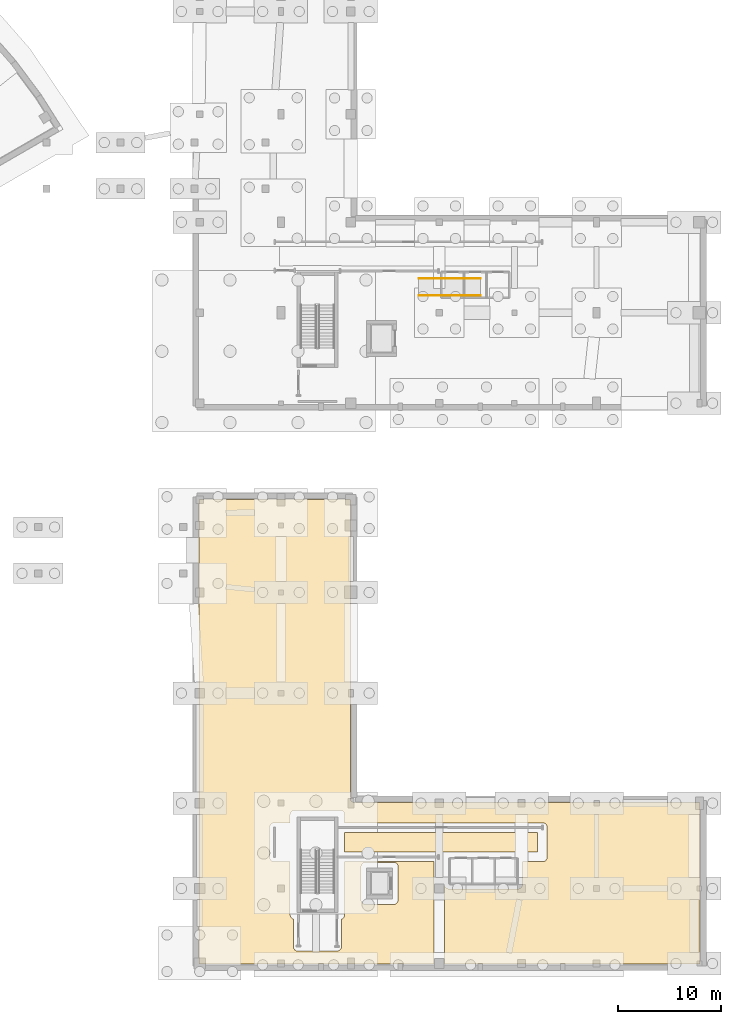
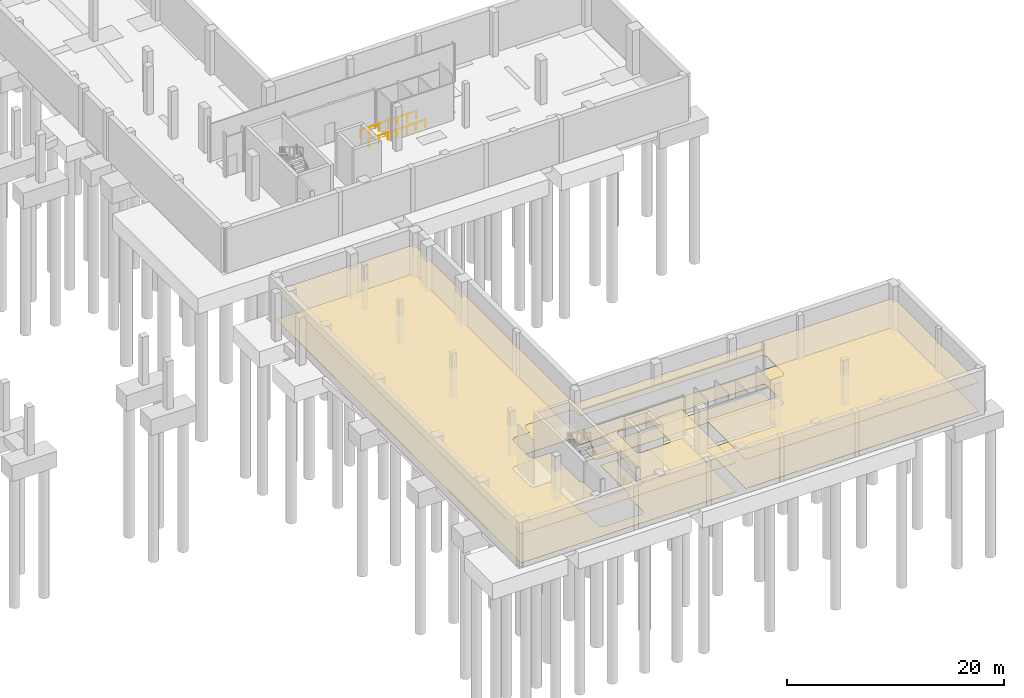
# One storey, part 32 of 33: 3 coverings, 2 railings.
"""IFC4 building model written with IfcOpenShell, lengths in metres."""

from ifc_helpers import new_model, si_unit, direction, frame, origin, origin_2d, place, context, subcontext, project, spatial, polyline, circle, outline, extrude, material, layer, layer_set, type_object, element, save


model = new_model("IFC4")

# Units and contexts
model_context = context("Model", 3, precision=1e-05, world=origin(), true_north=direction((0.0, 1.0)))
body_context = subcontext(model_context, "Body", "Model", "MODEL_VIEW")
ifc_project = project(units=[si_unit("LENGTHUNIT", "METRE"), si_unit("AREAUNIT", "SQUARE_METRE"), si_unit("VOLUMEUNIT", "CUBIC_METRE"), si_unit("PLANEANGLEUNIT", "RADIAN"), si_unit("MASSUNIT", "GRAM", prefix="KILO")], contexts=[model_context])

# Site, building, storey
site_placement = place(None, origin())
site = spatial("IfcSite", under=ifc_project, at=site_placement, CompositionType="ELEMENT")
building_placement = place(site_placement, origin())
building = spatial("IfcBuilding", under=site, at=building_placement, Name="Soyqirgoq Riverine Aquarium", CompositionType="ELEMENT")
storey_placement = place(building_placement, frame((0.0, 0.0, -5.39990234375)))
storey = spatial("IfcBuildingStorey", under=building, at=storey_placement, Name="B01", CompositionType="ELEMENT", Elevation=-5.39990234375)

# Covering
ifc_material_1 = material(Name="Perforated mineral-fibre acoustic ceiling", Category="gypsum")
ifc_layer_1 = layer(ifc_material_1, 0.050048828125)
ifc_layer_set_1 = layer_set([ifc_layer_1], Name="Perforated mineral-fibre acoustic ceiling")
covering_type_1 = type_object("IfcCoveringType", Name="AcousticBaffleCeiling_50", PredefinedType="CEILING", material=ifc_layer_set_1)
covering_1_placement = place(storey_placement, frame((0.0, 0.0, 3.25)))
element("IfcCovering", 1, at=covering_1_placement, inside=storey, type_object=covering_type_1, Name="Stagecraft Technical Workshop Suspended Ceiling", PredefinedType="CEILING", context=body_context, shape_type="SweptSolid", body=[
    extrude(outline(polyline([(123.81005859375, 3.860107421875), (123.81201171875, 3.81591796875), (123.819091796875, 3.77197265625), (123.8291015625, 3.72900390625), (123.843994140625, 3.68798828125), (123.863037109375, 3.64794921875), (123.885986328125, 3.610107421875), (123.912109375, 3.574951171875), (123.94189453125, 3.5419921875), (123.97509765625, 3.511962890625), (124.010009765625, 3.486083984375), (124.048095703125, 3.462890625), (124.087890625, 3.444091796875), (124.12890625, 3.428955078125), (124.172119140625, 3.4189453125), (124.216064453125, 3.412109375), (124.260009765625, 3.409912109375), (128.0400390625, 3.409912109375), (128.083984375, 3.412109375), (128.1279296875, 3.4189453125), (128.1708984375, 3.428955078125), (128.2119140625, 3.444091796875), (128.251953125, 3.462890625), (128.2900390625, 3.486083984375), (128.324951171875, 3.511962890625), (128.35791015625, 3.5419921875), (128.387939453125, 3.574951171875), (128.4140625, 3.610107421875), (128.43701171875, 3.64794921875), (128.4560546875, 3.68798828125), (128.470947265625, 3.72900390625), (128.48095703125, 3.77197265625), (128.488037109375, 3.81591796875), (128.489990234375, 3.860107421875), (128.489990234375, 6.52294921875), (128.52197265625, 6.533935546875), (128.56201171875, 6.552978515625), (128.60009765625, 6.575927734375), (128.635009765625, 6.60205078125), (128.66796875, 6.632080078125), (128.697998046875, 6.6650390625), (128.72412109375, 6.699951171875), (128.7470703125, 6.738037109375), (128.76611328125, 6.778076171875), (128.781005859375, 6.819091796875), (128.791015625, 6.862060546875), (128.798095703125, 6.906005859375), (128.800048828125, 6.949951171875), (128.800048828125, 12.110107421875), (137.469970703125, 12.110107421875), (137.469970703125, 2.14990234375), (114.64990234375, 2.14990234375), (114.64990234375, 47.35009765625), (129.35009765625, 47.35009765625), (129.35009765625, 18.300048828125), (129.35205078125, 18.256103515625), (129.35888671875, 18.2119140625), (129.368896484375, 18.1689453125), (129.384033203125, 18.1279296875), (129.403076171875, 18.087890625), (129.426025390625, 18.050048828125), (129.451904296875, 18.014892578125), (129.48193359375, 17.98193359375), (129.514892578125, 17.951904296875), (129.550048828125, 17.926025390625), (129.587890625, 17.903076171875), (129.6279296875, 17.884033203125), (129.6689453125, 17.868896484375), (129.7119140625, 17.85888671875), (129.756103515625, 17.85205078125), (129.800048828125, 17.85009765625), (163.35009765625, 17.85009765625), (163.35009765625, 2.14990234375), (138.530029296875, 2.14990234375), (138.530029296875, 9.778076171875), (138.5439453125, 9.738037109375), (138.56298828125, 9.697998046875), (138.5859375, 9.659912109375), (138.612060546875, 9.625), (138.64208984375, 9.592041015625), (138.675048828125, 9.56201171875), (138.7099609375, 9.535888671875), (138.748046875, 9.512939453125), (138.7880859375, 9.493896484375), (138.8291015625, 9.47900390625), (138.8720703125, 9.468994140625), (138.916015625, 9.4619140625), (138.9599609375, 9.4599609375), (145.639892578125, 9.4599609375), (145.68408203125, 9.4619140625), (145.72802734375, 9.468994140625), (145.77099609375, 9.47900390625), (145.81201171875, 9.493896484375), (145.85205078125, 9.512939453125), (145.889892578125, 9.535888671875), (145.925048828125, 9.56201171875), (145.9580078125, 9.592041015625), (145.988037109375, 9.625), (146.013916015625, 9.659912109375), (146.037109375, 9.697998046875), (146.055908203125, 9.738037109375), (146.071044921875, 9.779052734375), (146.0810546875, 9.822021484375), (146.087890625, 9.865966796875), (146.090087890625, 9.909912109375), (146.090087890625, 12.110107421875), (148.0400390625, 12.110107421875), (148.083984375, 12.112060546875), (148.1279296875, 12.118896484375), (148.1708984375, 12.12890625), (148.2119140625, 12.14404296875), (148.251953125, 12.1630859375), (148.2900390625, 12.18603515625), (148.324951171875, 12.2119140625), (148.35791015625, 12.241943359375), (148.387939453125, 12.27490234375), (148.4140625, 12.31005859375), (148.43701171875, 12.347900390625), (148.4560546875, 12.387939453125), (148.470947265625, 12.428955078125), (148.48095703125, 12.471923828125), (148.488037109375, 12.51611328125), (148.489990234375, 12.56005859375), (148.489990234375, 15.43994140625), (148.488037109375, 15.48388671875), (148.48095703125, 15.528076171875), (148.470947265625, 15.571044921875), (148.4560546875, 15.612060546875), (148.43701171875, 15.652099609375), (148.4140625, 15.68994140625), (148.387939453125, 15.72509765625), (148.35791015625, 15.758056640625), (148.324951171875, 15.7880859375), (148.2900390625, 15.81396484375), (148.251953125, 15.8369140625), (148.2119140625, 15.85595703125), (148.1708984375, 15.87109375), (148.1279296875, 15.881103515625), (148.083984375, 15.887939453125), (148.0400390625, 15.889892578125), (128.800048828125, 15.889892578125), (128.800048828125, 16.64990234375), (128.798095703125, 16.694091796875), (128.791015625, 16.738037109375), (128.781005859375, 16.781005859375), (128.76611328125, 16.822021484375), (128.7470703125, 16.862060546875), (128.72412109375, 16.89990234375), (128.697998046875, 16.93505859375), (128.66796875, 16.968017578125), (128.635009765625, 16.998046875), (128.60009765625, 17.02392578125), (128.56201171875, 17.047119140625), (128.52197265625, 17.06591796875), (128.48095703125, 17.0810546875), (128.43798828125, 17.091064453125), (128.39404296875, 17.097900390625), (128.35009765625, 17.10009765625), (123.949951171875, 17.10009765625), (123.906005859375, 17.097900390625), (123.862060546875, 17.091064453125), (123.819091796875, 17.0810546875), (123.778076171875, 17.06591796875), (123.738037109375, 17.047119140625), (123.699951171875, 17.02392578125), (123.6650390625, 16.998046875), (123.632080078125, 16.968017578125), (123.60205078125, 16.93505859375), (123.575927734375, 16.89990234375), (123.552978515625, 16.862060546875), (123.533935546875, 16.822021484375), (123.51904296875, 16.781005859375), (123.509033203125, 16.738037109375), (123.501953125, 16.694091796875), (123.5, 16.64990234375), (123.5, 15.889892578125), (121.9599609375, 15.889892578125), (121.916015625, 15.887939453125), (121.8720703125, 15.881103515625), (121.8291015625, 15.87109375), (121.7880859375, 15.85595703125), (121.748046875, 15.8369140625), (121.7099609375, 15.81396484375), (121.675048828125, 15.7880859375), (121.64208984375, 15.758056640625), (121.612060546875, 15.72509765625), (121.5859375, 15.68994140625), (121.56298828125, 15.652099609375), (121.5439453125, 15.612060546875), (121.529052734375, 15.571044921875), (121.51904296875, 15.528076171875), (121.511962890625, 15.48388671875), (121.510009765625, 15.43994140625), (121.510009765625, 12.56005859375), (121.511962890625, 12.51611328125), (121.51904296875, 12.471923828125), (121.529052734375, 12.428955078125), (121.5439453125, 12.387939453125), (121.56298828125, 12.347900390625), (121.5859375, 12.31005859375), (121.612060546875, 12.27490234375), (121.64208984375, 12.241943359375), (121.675048828125, 12.2119140625), (121.7099609375, 12.18603515625), (121.748046875, 12.1630859375), (121.7880859375, 12.14404296875), (121.8291015625, 12.12890625), (121.8720703125, 12.118896484375), (121.916015625, 12.112060546875), (121.9599609375, 12.110107421875), (123.5, 12.110107421875), (123.5, 6.949951171875), (123.501953125, 6.906005859375), (123.509033203125, 6.862060546875), (123.51904296875, 6.819091796875), (123.533935546875, 6.778076171875), (123.552978515625, 6.738037109375), (123.575927734375, 6.699951171875), (123.60205078125, 6.6650390625), (123.632080078125, 6.632080078125), (123.6650390625, 6.60205078125), (123.699951171875, 6.575927734375), (123.738037109375, 6.552978515625), (123.778076171875, 6.533935546875), (123.81005859375, 6.52294921875), (123.81005859375, 3.860107421875)]), holes=[polyline([(130.85009765625, 7.949951171875), (130.805908203125, 7.951904296875), (130.761962890625, 7.958984375), (130.718994140625, 7.968994140625), (130.677978515625, 7.98388671875), (130.637939453125, 8.0029296875), (130.60009765625, 8.02587890625), (130.56494140625, 8.052001953125), (130.531982421875, 8.08203125), (130.501953125, 8.114990234375), (130.47607421875, 8.14990234375), (130.452880859375, 8.18798828125), (130.43408203125, 8.22802734375), (130.4189453125, 8.26904296875), (130.408935546875, 8.31201171875), (130.402099609375, 8.35595703125), (130.39990234375, 8.39990234375), (130.39990234375, 11.60009765625), (130.402099609375, 11.64404296875), (130.408935546875, 11.68798828125), (130.4189453125, 11.73095703125), (130.43408203125, 11.77197265625), (130.452880859375, 11.81201171875), (130.47607421875, 11.85009765625), (130.501953125, 11.885009765625), (130.531982421875, 11.91796875), (130.56494140625, 11.947998046875), (130.60009765625, 11.97412109375), (130.637939453125, 11.9970703125), (130.677978515625, 12.01611328125), (130.718994140625, 12.031005859375), (130.761962890625, 12.041015625), (130.805908203125, 12.048095703125), (130.85009765625, 12.050048828125), (133.550048828125, 12.050048828125), (133.593994140625, 12.048095703125), (133.637939453125, 12.041015625), (133.680908203125, 12.031005859375), (133.721923828125, 12.01611328125), (133.761962890625, 11.9970703125), (133.800048828125, 11.97412109375), (133.8349609375, 11.947998046875), (133.867919921875, 11.91796875), (133.89794921875, 11.885009765625), (133.924072265625, 11.85009765625), (133.947021484375, 11.81201171875), (133.966064453125, 11.77197265625), (133.98095703125, 11.73095703125), (133.990966796875, 11.68798828125), (133.998046875, 11.64404296875), (134.0, 11.60009765625), (134.0, 8.39990234375), (133.998046875, 8.35595703125), (133.990966796875, 8.31201171875), (133.98095703125, 8.26904296875), (133.966064453125, 8.22802734375), (133.947021484375, 8.18798828125), (133.924072265625, 8.14990234375), (133.89794921875, 8.114990234375), (133.867919921875, 8.08203125), (133.8349609375, 8.052001953125), (133.800048828125, 8.02587890625), (133.761962890625, 8.0029296875), (133.721923828125, 7.98388671875), (133.680908203125, 7.968994140625), (133.637939453125, 7.958984375), (133.593994140625, 7.951904296875), (133.550048828125, 7.949951171875), (130.85009765625, 7.949951171875)])]), origin(), (0.0, 0.0, 1.0), 0.0498046875),
])

# Railings
ifc_material_2 = material(Name="Brushed stainless steel 316L tubular handrail", Category="steel")
railing_type = type_object("IfcRailingType", Name="StairPitchHandrail_920", PredefinedType="HANDRAIL", material=ifc_material_2)
for number, where, name in (
    (2, (136.0, 67.179931640625, -0.06005859375), "B01 LSS Service Hall Accessible Ramp Handrail S"),
    (3, (136.0, 68.820068359375, -0.06005859375), "B01 LSS Service Hall Accessible Ramp Handrail N"),
):
    element("IfcRailing", number, at=place(storey_placement, frame(where)), inside=storey, type_object=railing_type, Name=name, PredefinedType="HANDRAIL", context=body_context, shape_type="SweptSolid", body=[
        extrude(circle(Radius=0.02392578125, at=origin_2d()), frame((0.0, 0.0, 0.89599609375), z_axis=(0.99994990606, 0.0, 0.010009264196), x_axis=(0.0, 1.0, 0.0)), (0.0, 0.0, 1.0), 6.000244140625),
        extrude(circle(Radius=0.02099609375, at=origin_2d()), origin(), (0.0, 0.0, 1.0), 0.871826171875),
        extrude(circle(Radius=0.02099609375, at=origin_2d()), frame((1.0, 0.0, 0.010009765625)), (0.0, 0.0, 1.0), 0.871826171875),
        extrude(circle(Radius=0.02099609375, at=origin_2d()), frame((2.0, 0.0, 0.02001953125)), (0.0, 0.0, 1.0), 0.871826171875),
        extrude(circle(Radius=0.02099609375, at=origin_2d()), frame((3.0, 0.0, 0.030029296875)), (0.0, 0.0, 1.0), 0.871826171875),
        extrude(circle(Radius=0.02099609375, at=origin_2d()), frame((4.0, 0.0, 0.0400390625)), (0.0, 0.0, 1.0), 0.871826171875),
        extrude(circle(Radius=0.02099609375, at=origin_2d()), frame((5.0, 0.0, 0.050048828125)), (0.0, 0.0, 1.0), 0.871826171875),
        extrude(circle(Radius=0.02099609375, at=origin_2d()), frame((6.0, 0.0, 0.06005859375)), (0.0, 0.0, 1.0), 0.871826171875),
    ])

# Coverings
ifc_material_3 = material(Name="Polished Chirchiq river-pebble terrazzo flooring", Category="concrete")
ifc_layer_2 = layer(ifc_material_3, 0.030029296875)
ifc_layer_set_2 = layer_set([ifc_layer_2], Name="Polished Chirchiq river-pebble terrazzo flooring")
covering_type_2 = type_object("IfcCoveringType", Name="TerrazzoFloorFinish_30", PredefinedType="FLOORING", material=ifc_layer_set_2)
covering_2_placement = place(storey_placement, origin())
element("IfcCovering", 4, at=covering_2_placement, inside=storey, type_object=covering_type_2, Name="Education Basement Corridor Floor Finish", PredefinedType="FLOORING", context=body_context, shape_type="SweptSolid", body=[
    extrude(outline(polyline([(147.550048828125, 14.949951171875), (147.550048828125, 13.050048828125), (128.800048828125, 13.050048828125), (128.800048828125, 14.949951171875), (147.550048828125, 14.949951171875)])), origin(), (0.0, 0.0, 1.0), 0.02978515625),
])
covering_3_placement = place(storey_placement, origin())
element("IfcCovering", 5, at=covering_3_placement, inside=storey, type_object=covering_type_2, Name="Stagecraft Technical Workshop Floor Finish", PredefinedType="FLOORING", context=body_context, shape_type="SweptSolid", body=[
    extrude(outline(polyline([(123.81005859375, 3.860107421875), (123.81201171875, 3.81591796875), (123.819091796875, 3.77197265625), (123.8291015625, 3.72900390625), (123.843994140625, 3.68798828125), (123.863037109375, 3.64794921875), (123.885986328125, 3.610107421875), (123.912109375, 3.574951171875), (123.94189453125, 3.5419921875), (123.97509765625, 3.511962890625), (124.010009765625, 3.486083984375), (124.048095703125, 3.462890625), (124.087890625, 3.444091796875), (124.12890625, 3.428955078125), (124.172119140625, 3.4189453125), (124.216064453125, 3.412109375), (124.260009765625, 3.409912109375), (128.0400390625, 3.409912109375), (128.083984375, 3.412109375), (128.1279296875, 3.4189453125), (128.1708984375, 3.428955078125), (128.2119140625, 3.444091796875), (128.251953125, 3.462890625), (128.2900390625, 3.486083984375), (128.324951171875, 3.511962890625), (128.35791015625, 3.5419921875), (128.387939453125, 3.574951171875), (128.4140625, 3.610107421875), (128.43701171875, 3.64794921875), (128.4560546875, 3.68798828125), (128.470947265625, 3.72900390625), (128.48095703125, 3.77197265625), (128.488037109375, 3.81591796875), (128.489990234375, 3.860107421875), (128.489990234375, 6.52294921875), (128.52197265625, 6.533935546875), (128.56201171875, 6.552978515625), (128.60009765625, 6.575927734375), (128.635009765625, 6.60205078125), (128.66796875, 6.632080078125), (128.697998046875, 6.6650390625), (128.72412109375, 6.699951171875), (128.7470703125, 6.738037109375), (128.76611328125, 6.778076171875), (128.781005859375, 6.819091796875), (128.791015625, 6.862060546875), (128.798095703125, 6.906005859375), (128.800048828125, 6.949951171875), (128.800048828125, 12.110107421875), (137.469970703125, 12.110107421875), (137.469970703125, 2.14990234375), (114.64990234375, 2.14990234375), (114.64990234375, 47.35009765625), (129.35009765625, 47.35009765625), (129.35009765625, 18.300048828125), (129.35205078125, 18.256103515625), (129.35888671875, 18.2119140625), (129.368896484375, 18.1689453125), (129.384033203125, 18.1279296875), (129.403076171875, 18.087890625), (129.426025390625, 18.050048828125), (129.451904296875, 18.014892578125), (129.48193359375, 17.98193359375), (129.514892578125, 17.951904296875), (129.550048828125, 17.926025390625), (129.587890625, 17.903076171875), (129.6279296875, 17.884033203125), (129.6689453125, 17.868896484375), (129.7119140625, 17.85888671875), (129.756103515625, 17.85205078125), (129.800048828125, 17.85009765625), (163.35009765625, 17.85009765625), (163.35009765625, 2.14990234375), (138.530029296875, 2.14990234375), (138.530029296875, 9.778076171875), (138.5439453125, 9.738037109375), (138.56298828125, 9.697998046875), (138.5859375, 9.659912109375), (138.612060546875, 9.625), (138.64208984375, 9.592041015625), (138.675048828125, 9.56201171875), (138.7099609375, 9.535888671875), (138.748046875, 9.512939453125), (138.7880859375, 9.493896484375), (138.8291015625, 9.47900390625), (138.8720703125, 9.468994140625), (138.916015625, 9.4619140625), (138.9599609375, 9.4599609375), (145.639892578125, 9.4599609375), (145.68408203125, 9.4619140625), (145.72802734375, 9.468994140625), (145.77099609375, 9.47900390625), (145.81201171875, 9.493896484375), (145.85205078125, 9.512939453125), (145.889892578125, 9.535888671875), (145.925048828125, 9.56201171875), (145.9580078125, 9.592041015625), (145.988037109375, 9.625), (146.013916015625, 9.659912109375), (146.037109375, 9.697998046875), (146.055908203125, 9.738037109375), (146.071044921875, 9.779052734375), (146.0810546875, 9.822021484375), (146.087890625, 9.865966796875), (146.090087890625, 9.909912109375), (146.090087890625, 12.110107421875), (148.0400390625, 12.110107421875), (148.083984375, 12.112060546875), (148.1279296875, 12.118896484375), (148.1708984375, 12.12890625), (148.2119140625, 12.14404296875), (148.251953125, 12.1630859375), (148.2900390625, 12.18603515625), (148.324951171875, 12.2119140625), (148.35791015625, 12.241943359375), (148.387939453125, 12.27490234375), (148.4140625, 12.31005859375), (148.43701171875, 12.347900390625), (148.4560546875, 12.387939453125), (148.470947265625, 12.428955078125), (148.48095703125, 12.471923828125), (148.488037109375, 12.51611328125), (148.489990234375, 12.56005859375), (148.489990234375, 15.43994140625), (148.488037109375, 15.48388671875), (148.48095703125, 15.528076171875), (148.470947265625, 15.571044921875), (148.4560546875, 15.612060546875), (148.43701171875, 15.652099609375), (148.4140625, 15.68994140625), (148.387939453125, 15.72509765625), (148.35791015625, 15.758056640625), (148.324951171875, 15.7880859375), (148.2900390625, 15.81396484375), (148.251953125, 15.8369140625), (148.2119140625, 15.85595703125), (148.1708984375, 15.87109375), (148.1279296875, 15.881103515625), (148.083984375, 15.887939453125), (148.0400390625, 15.889892578125), (128.800048828125, 15.889892578125), (128.800048828125, 16.64990234375), (128.798095703125, 16.694091796875), (128.791015625, 16.738037109375), (128.781005859375, 16.781005859375), (128.76611328125, 16.822021484375), (128.7470703125, 16.862060546875), (128.72412109375, 16.89990234375), (128.697998046875, 16.93505859375), (128.66796875, 16.968017578125), (128.635009765625, 16.998046875), (128.60009765625, 17.02392578125), (128.56201171875, 17.047119140625), (128.52197265625, 17.06591796875), (128.48095703125, 17.0810546875), (128.43798828125, 17.091064453125), (128.39404296875, 17.097900390625), (128.35009765625, 17.10009765625), (123.949951171875, 17.10009765625), (123.906005859375, 17.097900390625), (123.862060546875, 17.091064453125), (123.819091796875, 17.0810546875), (123.778076171875, 17.06591796875), (123.738037109375, 17.047119140625), (123.699951171875, 17.02392578125), (123.6650390625, 16.998046875), (123.632080078125, 16.968017578125), (123.60205078125, 16.93505859375), (123.575927734375, 16.89990234375), (123.552978515625, 16.862060546875), (123.533935546875, 16.822021484375), (123.51904296875, 16.781005859375), (123.509033203125, 16.738037109375), (123.501953125, 16.694091796875), (123.5, 16.64990234375), (123.5, 15.889892578125), (121.9599609375, 15.889892578125), (121.916015625, 15.887939453125), (121.8720703125, 15.881103515625), (121.8291015625, 15.87109375), (121.7880859375, 15.85595703125), (121.748046875, 15.8369140625), (121.7099609375, 15.81396484375), (121.675048828125, 15.7880859375), (121.64208984375, 15.758056640625), (121.612060546875, 15.72509765625), (121.5859375, 15.68994140625), (121.56298828125, 15.652099609375), (121.5439453125, 15.612060546875), (121.529052734375, 15.571044921875), (121.51904296875, 15.528076171875), (121.511962890625, 15.48388671875), (121.510009765625, 15.43994140625), (121.510009765625, 12.56005859375), (121.511962890625, 12.51611328125), (121.51904296875, 12.471923828125), (121.529052734375, 12.428955078125), (121.5439453125, 12.387939453125), (121.56298828125, 12.347900390625), (121.5859375, 12.31005859375), (121.612060546875, 12.27490234375), (121.64208984375, 12.241943359375), (121.675048828125, 12.2119140625), (121.7099609375, 12.18603515625), (121.748046875, 12.1630859375), (121.7880859375, 12.14404296875), (121.8291015625, 12.12890625), (121.8720703125, 12.118896484375), (121.916015625, 12.112060546875), (121.9599609375, 12.110107421875), (123.5, 12.110107421875), (123.5, 6.949951171875), (123.501953125, 6.906005859375), (123.509033203125, 6.862060546875), (123.51904296875, 6.819091796875), (123.533935546875, 6.778076171875), (123.552978515625, 6.738037109375), (123.575927734375, 6.699951171875), (123.60205078125, 6.6650390625), (123.632080078125, 6.632080078125), (123.6650390625, 6.60205078125), (123.699951171875, 6.575927734375), (123.738037109375, 6.552978515625), (123.778076171875, 6.533935546875), (123.81005859375, 6.52294921875), (123.81005859375, 3.860107421875)]), holes=[polyline([(130.85009765625, 7.949951171875), (130.805908203125, 7.951904296875), (130.761962890625, 7.958984375), (130.718994140625, 7.968994140625), (130.677978515625, 7.98388671875), (130.637939453125, 8.0029296875), (130.60009765625, 8.02587890625), (130.56494140625, 8.052001953125), (130.531982421875, 8.08203125), (130.501953125, 8.114990234375), (130.47607421875, 8.14990234375), (130.452880859375, 8.18798828125), (130.43408203125, 8.22802734375), (130.4189453125, 8.26904296875), (130.408935546875, 8.31201171875), (130.402099609375, 8.35595703125), (130.39990234375, 8.39990234375), (130.39990234375, 11.60009765625), (130.402099609375, 11.64404296875), (130.408935546875, 11.68798828125), (130.4189453125, 11.73095703125), (130.43408203125, 11.77197265625), (130.452880859375, 11.81201171875), (130.47607421875, 11.85009765625), (130.501953125, 11.885009765625), (130.531982421875, 11.91796875), (130.56494140625, 11.947998046875), (130.60009765625, 11.97412109375), (130.637939453125, 11.9970703125), (130.677978515625, 12.01611328125), (130.718994140625, 12.031005859375), (130.761962890625, 12.041015625), (130.805908203125, 12.048095703125), (130.85009765625, 12.050048828125), (133.550048828125, 12.050048828125), (133.593994140625, 12.048095703125), (133.637939453125, 12.041015625), (133.680908203125, 12.031005859375), (133.721923828125, 12.01611328125), (133.761962890625, 11.9970703125), (133.800048828125, 11.97412109375), (133.8349609375, 11.947998046875), (133.867919921875, 11.91796875), (133.89794921875, 11.885009765625), (133.924072265625, 11.85009765625), (133.947021484375, 11.81201171875), (133.966064453125, 11.77197265625), (133.98095703125, 11.73095703125), (133.990966796875, 11.68798828125), (133.998046875, 11.64404296875), (134.0, 11.60009765625), (134.0, 8.39990234375), (133.998046875, 8.35595703125), (133.990966796875, 8.31201171875), (133.98095703125, 8.26904296875), (133.966064453125, 8.22802734375), (133.947021484375, 8.18798828125), (133.924072265625, 8.14990234375), (133.89794921875, 8.114990234375), (133.867919921875, 8.08203125), (133.8349609375, 8.052001953125), (133.800048828125, 8.02587890625), (133.761962890625, 8.0029296875), (133.721923828125, 7.98388671875), (133.680908203125, 7.968994140625), (133.637939453125, 7.958984375), (133.593994140625, 7.951904296875), (133.550048828125, 7.949951171875), (130.85009765625, 7.949951171875)])]), origin(), (0.0, 0.0, 1.0), 0.02978515625),
])

save(model, "model.ifc")
